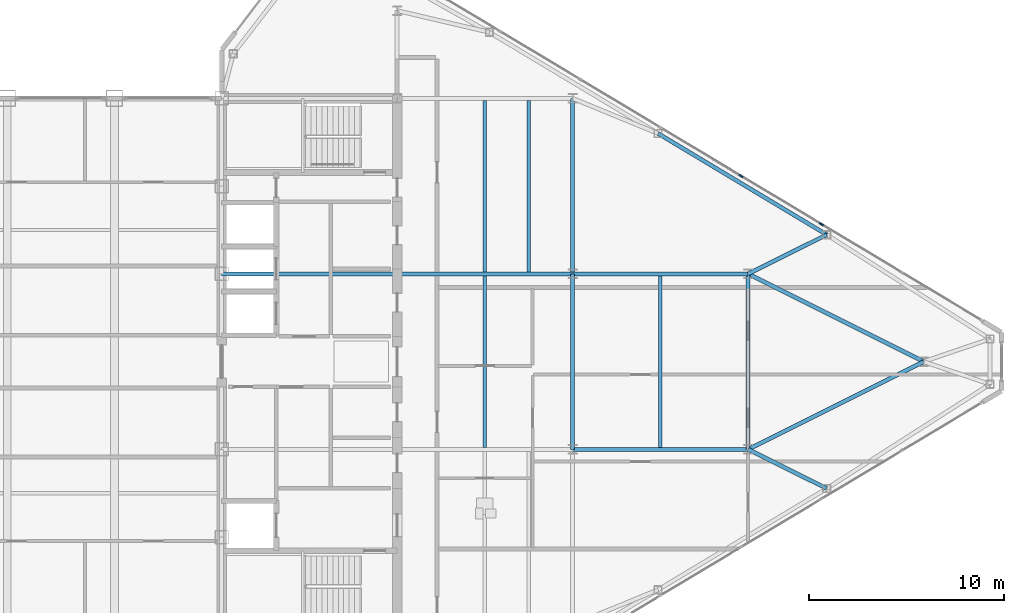
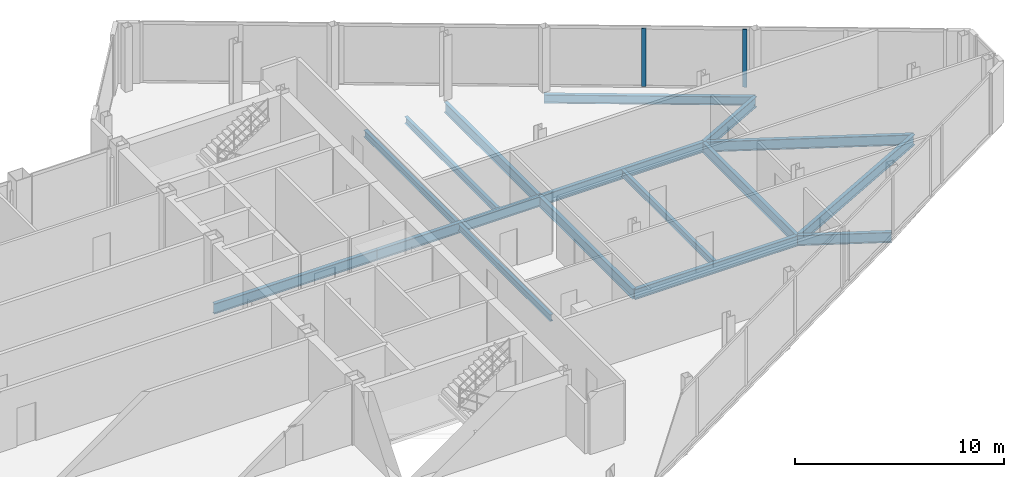
# One storey, part 15 of 29: 16 beams, 2 members, 1 element without a shape of its own.
"""IFC4 building model written with IfcOpenShell, lengths in metres."""

import ifcopenshell
import ifcopenshell.guid

model = None  # the IFC model being written
_history = None  # IfcOwnerHistory: only IFC2X3 demands one
_inside = {}  # id of a spatial element -> (the spatial element, [elements in it])
_under = {}  # id of a project, library or spatial element -> (it, [spatial elements below it])
_declared = {}  # id of a project -> (the project, [libraries it declares])
_typed = {}  # id of a type object -> (the type object, [elements of that type])
_made_of = {}  # id of a material, layer set ... -> (it, [elements and type objects made of it])


def new_model(schema):
    """Start an empty IFC model of exactly this schema.

    Asked for "IFC4X3", IfcOpenShell would pick the latest addendum, in which some entities
    have other attributes; the version numbers below select the first issue.
    IFC2X3 requires an IfcOwnerHistory on every rooted entity: one is made here for all.
    """
    global model, _history
    if schema == "IFC4X3":
        model = ifcopenshell.file(schema_version=(4, 3, 0, 0))
    else:
        model = ifcopenshell.file(schema=schema)
    _inside.clear()
    _under.clear()
    _declared.clear()
    _typed.clear()
    _made_of.clear()
    _history = None
    if model.schema == "IFC2X3":
        org = make("IfcOrganization", Name="unknown")
        user = make(
            "IfcPersonAndOrganization",
            ThePerson=make("IfcPerson", FamilyName="unknown"),
            TheOrganization=org,
        )
        app = make(
            "IfcApplication",
            ApplicationDeveloper=org,
            Version="unknown",
            ApplicationFullName="unknown",
            ApplicationIdentifier="unknown",
        )
        _history = make(
            "IfcOwnerHistory",
            OwningUser=user,
            OwningApplication=app,
            ChangeAction="ADDED",
            CreationDate=0,
        )
    return model


def make(cls, **values):
    """One entity of the class cls with the attributes given. An attribute that is None is left unset."""
    return model.create_entity(
        cls, **{name: value for name, value in values.items() if value is not None}
    )


def rooted(cls, **values):
    """An entity with a GlobalId (a new one), such as an element, a storey or a relation."""
    return make(cls, GlobalId=ifcopenshell.guid.new(), OwnerHistory=_history, **values)


def si_unit(unit_type, name, prefix=None):
    """IfcSIUnit, for example si_unit("LENGTHUNIT", "METRE", prefix="MILLI")."""
    return make("IfcSIUnit", UnitType=unit_type, Prefix=prefix, Name=name)


def assignment(units):
    """IfcUnitAssignment: the units of a project."""
    return None if units is None else make("IfcUnitAssignment", Units=units)


def point(xyz):
    """IfcCartesianPoint."""
    return None if xyz is None else make("IfcCartesianPoint", Coordinates=xyz)


def direction(xyz):
    """IfcDirection."""
    return None if xyz is None else make("IfcDirection", DirectionRatios=xyz)


def frame(location, z_axis=None, x_axis=None):
    """IfcAxis2Placement3D, a coordinate frame: its origin and axes. An axis left out is left unset."""
    return make(
        "IfcAxis2Placement3D",
        Location=point(location),
        Axis=direction(z_axis),
        RefDirection=direction(x_axis),
    )


def frame_2d(location, x_axis=None):
    """IfcAxis2Placement2D, a coordinate frame in the plane: its origin and x axis."""
    return make(
        "IfcAxis2Placement2D", Location=point(location), RefDirection=direction(x_axis)
    )


def origin():
    """The frame at (0, 0, 0) with its axes left unset."""
    return frame((0.0, 0.0, 0.0))


def origin_2d():
    """The frame at (0, 0) in the plane with its x axis left unset."""
    return frame_2d((0.0, 0.0))


def place(relative_to, where):
    """IfcLocalPlacement: puts the frame where relative to a parent placement (None: the world)."""
    return make(
        "IfcLocalPlacement", PlacementRelTo=relative_to, RelativePlacement=where
    )


def context(
    kind, dimensions, precision=None, world=None, true_north=None, identifier=None
):
    """IfcGeometricRepresentationContext, for example the 3D "Model" context."""
    return make(
        "IfcGeometricRepresentationContext",
        ContextIdentifier=identifier,
        ContextType=kind,
        CoordinateSpaceDimension=dimensions,
        Precision=precision,
        WorldCoordinateSystem=world,
        TrueNorth=true_north,
    )


def subcontext(parent, identifier, kind, view, scale=None):
    """IfcGeometricRepresentationSubContext, for example "Body" below "Model"."""
    return make(
        "IfcGeometricRepresentationSubContext",
        ContextIdentifier=identifier,
        ContextType=kind,
        ParentContext=parent,
        TargetScale=scale,
        TargetView=view,
    )


def project(units=None, contexts=None):
    """IfcProject with its units and contexts."""
    return rooted(
        "IfcProject",
        Name="project",
        RepresentationContexts=contexts,
        UnitsInContext=assignment(units),
    )


def spatial(cls, under=None, at=None, **own):
    """A site, building, storey or space (cls), placed at a placement, below another one or the project."""
    s = rooted(cls, ObjectPlacement=at, **own)
    if under is not None:
        _under.setdefault(under.id(), (under, []))[1].append(s)
    return s


def profile(cls, at=None, kind="AREA", **sizes):
    """A parametric profile (cls). Its sizes go by their IFC names, for example OverallWidth=200.0."""
    return make(cls, ProfileType=kind, Position=at, **sizes)


def rectangle(**sizes):
    """IfcRectangleProfileDef."""
    return profile("IfcRectangleProfileDef", **sizes)


def i_section(**sizes):
    """IfcIShapeProfileDef."""
    return profile("IfcIShapeProfileDef", **sizes)


def extrude(swept, where, along, depth):
    """IfcExtrudedAreaSolid: the profile swept, set in the frame where, extruded along a direction by depth."""
    return make(
        "IfcExtrudedAreaSolid",
        SweptArea=swept,
        Position=where,
        ExtrudedDirection=direction(along),
        Depth=depth,
    )


def shape(context_of_items, identifier, shape_type, items):
    """IfcShapeRepresentation: the items that make up one representation, for example the "Body"."""
    return make(
        "IfcShapeRepresentation",
        ContextOfItems=context_of_items,
        RepresentationIdentifier=identifier,
        RepresentationType=shape_type,
        Items=items,
    )


def source(mapping_origin, context_of_items, identifier, shape_type, items):
    """IfcRepresentationMap: a shape defined once, which mapped items show again and again."""
    return make(
        "IfcRepresentationMap",
        MappingOrigin=mapping_origin,
        MappedRepresentation=shape(context_of_items, identifier, shape_type, items),
    )


def transform(
    local_origin,
    x_axis=None,
    y_axis=None,
    z_axis=None,
    scale=None,
    scale2=None,
    scale3=None,
    uniform=True,
):
    """IfcCartesianTransformationOperator3D, or its non-uniform kind. x_axis, y_axis, z_axis: its Axis1, 2, 3."""
    if uniform:
        return make(
            "IfcCartesianTransformationOperator3D",
            Axis1=direction(x_axis),
            Axis2=direction(y_axis),
            LocalOrigin=point(local_origin),
            Scale=scale,
            Axis3=direction(z_axis),
        )
    return make(
        "IfcCartesianTransformationOperator3DnonUniform",
        Axis1=direction(x_axis),
        Axis2=direction(y_axis),
        LocalOrigin=point(local_origin),
        Scale=scale,
        Axis3=direction(z_axis),
        Scale2=scale2,
        Scale3=scale3,
    )


def mapped(mapping_source, mapping_target):
    """IfcMappedItem: shows the shape of a source again, moved by a transform."""
    return make(
        "IfcMappedItem", MappingSource=mapping_source, MappingTarget=mapping_target
    )


def material(Name=None, Category=None):
    """IfcMaterial."""
    return make("IfcMaterial", Name=Name, Category=Category)


def layer(
    of_material, thickness, ventilated=None, Name=None, Category=None, Priority=None
):
    """IfcMaterialLayer: one layer of a wall or slab, of a material (None: an air gap)."""
    return make(
        "IfcMaterialLayer",
        Material=of_material,
        LayerThickness=thickness,
        IsVentilated=ventilated,
        Name=Name,
        Category=Category,
        Priority=Priority,
    )


def layer_set(layers, Name=None):
    """IfcMaterialLayerSet."""
    return make("IfcMaterialLayerSet", MaterialLayers=layers, LayerSetName=Name)


def material_profile(
    of_material, cross_section, Name=None, Category=None, Priority=None
):
    """IfcMaterialProfile: a cross section and its material."""
    return make(
        "IfcMaterialProfile",
        Name=Name,
        Material=of_material,
        Profile=cross_section,
        Priority=Priority,
        Category=Category,
    )


def profile_set(profiles, Name=None, composite=None):
    """IfcMaterialProfileSet."""
    return make(
        "IfcMaterialProfileSet",
        Name=Name,
        MaterialProfiles=profiles,
        CompositeProfile=composite,
    )


def made_of(thing, what):
    """Note that an element or type object is made of a material, layer set ...; save() writes the relation."""
    if what is not None:
        _made_of.setdefault(what.id(), (what, []))[1].append(thing)
    return thing


def type_object(cls, material=None, **own):
    """A type object (cls), such as IfcWallType, which elements share."""
    return made_of(rooted(cls, **own), material)


def type_shapes(of_type, sources):
    """Give a type object the sources (RepresentationMaps) that its elements show as mapped items."""
    of_type.RepresentationMaps = sources


def element(
    cls,
    number,
    at=None,
    inside=None,
    cuts=None,
    type_object=None,
    material=None,
    context=None,
    identifier="Body",
    shape_type=None,
    held_by="IfcProductDefinitionShape",
    body=None,
    shapes=None,
    **own,
):
    """One element of the class cls, such as IfcWall. Its Tag is "e" and its number.

    at: its placement. inside: the storey or other place that contains it. cuts: it is an
    opening in that element (IfcRelVoidsElement). A single representation is given by context,
    identifier, shape_type and body (its items); several are given by shapes. held_by: the class
    of the entity that holds the representations. save() writes the other relations.
    """
    e = rooted(cls, Tag="e%d" % number, ObjectPlacement=at, **own)
    if body is not None:
        shapes = [shape(context, identifier, shape_type, body)]
    if shapes is not None:
        e.Representation = make(held_by, Representations=shapes)
    if inside is not None:
        _inside.setdefault(inside.id(), (inside, []))[1].append(e)
    if cuts is not None:
        rooted(
            "IfcRelVoidsElement", RelatingBuildingElement=cuts, RelatedOpeningElement=e
        )
    if type_object is not None:
        _typed.setdefault(type_object.id(), (type_object, []))[1].append(e)
    return made_of(e, material)


def aggregate(whole, parts):
    """IfcRelAggregates: a whole, such as a stair, and the parts it consists of."""
    return rooted("IfcRelAggregates", RelatingObject=whole, RelatedObjects=parts)


def save(model, path):
    """Write the relations noted so far, then the file.

    IfcRelAggregates (storeys below a building ...), IfcRelContainedInSpatialStructure (elements
    in a storey), IfcRelDefinesByType, IfcRelAssociatesMaterial and IfcRelDeclares: one each for
    every whole, place, type object, material and project.
    """
    for whole, parts in _under.values():
        aggregate(whole, parts)
    for where, things in _inside.values():
        rooted(
            "IfcRelContainedInSpatialStructure",
            RelatedElements=things,
            RelatingStructure=where,
        )
    for kind, things in _typed.values():
        rooted("IfcRelDefinesByType", RelatedObjects=things, RelatingType=kind)
    for what, things in _made_of.values():
        rooted("IfcRelAssociatesMaterial", RelatedObjects=things, RelatingMaterial=what)
    for by, libraries in _declared.values():
        rooted("IfcRelDeclares", RelatingContext=by, RelatedDefinitions=libraries)
    model.write(path)


model = new_model("IFC4")

# Units and contexts
model_context = context("Model", 3, precision=1e-05, world=origin(), true_north=direction((0.0, 1.0)))
body_context = subcontext(model_context, "Body", "Model", "MODEL_VIEW")
ifc_project = project(units=[si_unit("LENGTHUNIT", "METRE"), si_unit("AREAUNIT", "SQUARE_METRE"), si_unit("VOLUMEUNIT", "CUBIC_METRE"), si_unit("PLANEANGLEUNIT", "RADIAN"), si_unit("MASSUNIT", "GRAM", prefix="KILO")], contexts=[model_context])

# Site, building, storey
site_placement = place(None, origin())
site = spatial("IfcSite", under=ifc_project, at=site_placement, CompositionType="ELEMENT")
building_placement = place(site_placement, origin())
building = spatial("IfcBuilding", under=site, at=building_placement, Name="Seokmaru Belvedere", CompositionType="ELEMENT")
storey_placement = place(building_placement, frame((0.0, 0.0, 258.14990234375)))
storey = spatial("IfcBuildingStorey", under=building, at=storey_placement, Name="L68", CompositionType="ELEMENT", Elevation=258.14990234375)

# Beams
ifc_material_1 = material(Name="Steel SM355 (355 MPa)", Category="steel")
ifc_material_profile_1 = material_profile(ifc_material_1, i_section(OverallWidth=0.199951171875, OverallDepth=0.60009765625, WebThickness=0.010986328125, FlangeThickness=0.01708984375, at=origin_2d()), Name="H-600x200x11x17")
ifc_profile_set_1 = profile_set([ifc_material_profile_1], Name="Steel SM355 (355 MPa)")
beam_type_1 = type_object("IfcBeamType", Name="Primary Floor Girder H-600", PredefinedType="BEAM", material=ifc_profile_set_1)
shared_shape_1 = source(origin(), body_context, "Body", "SweptSolid", [
    extrude(i_section(OverallWidth=0.199951171875, OverallDepth=0.60009765625, WebThickness=0.010986328125, FlangeThickness=0.01708984375, at=origin_2d()), origin(), (0.0, 0.0, 1.0), 9.0),
])
for number, where, z_axis, x_axis, name in (
    (1, (45.5, -4.5, -0.52001953125), (0.0, 1.0, 0.0), (-1.0, 0.0, 0.0), "L68 E Interior Grid Girder 2"),
    (2, (45.5, 4.5, -0.52001953125), (0.0, 1.0, 0.0), (-1.0, 0.0, 0.0), "L68 E Interior Grid Girder 3"),
    (3, (27.5, 4.5, -0.52001953125), (1.0, 0.0, 0.0), (0.0, 1.0, 0.0), "L68 E Core Tie Girder 3"),
    (4, (36.5, 4.5, -0.52001953125), (1.0, 0.0, 0.0), (0.0, 1.0, 0.0), "L68 E Wing Primary Girder 3"),
    (5, (45.5, -4.5, -0.52001953125), (1.0, 0.0, 0.0), (0.0, 1.0, 0.0), "L68 E Outer Wing Girder 1"),
    (6, (45.5, 4.5, -0.52001953125), (1.0, 0.0, 0.0), (0.0, 1.0, 0.0), "L68 E Outer Wing Girder 2"),
    (7, (54.5, -4.5, -0.52001953125), (0.0, 1.0, 0.0), (-1.0, 0.0, 0.0), "L68 E Apex Frame Girder"),
):
    element("IfcBeam", number, at=place(storey_placement, frame(where, z_axis=z_axis, x_axis=x_axis)), inside=storey, type_object=beam_type_1, Name=name, PredefinedType="BEAM", context=body_context, shape_type="MappedRepresentation", body=[
        mapped(shared_shape_1, transform((0.0, 0.0, 0.0), scale=1.0)),
    ])
shared_shape_2 = source(origin(), body_context, "Body", "SweptSolid", [
    extrude(i_section(OverallWidth=0.199951171875, OverallDepth=0.60009765625, WebThickness=0.010986328125, FlangeThickness=0.01708984375, at=origin_2d()), origin(), (0.0, 0.0, 1.0), 10.062255859375),
])
for number, where, z_axis, x_axis, name in (
    (8, (54.5, -4.5, -0.52001953125), (0.894427191, 0.4472135955, 0.0), (-0.4472135955, 0.894427191, 0.0), "L68 E Apex Converging Girder 1"),
    (9, (54.5, 4.5, -0.52001953125), (0.894427191, -0.4472135955, 0.0), (0.4472135955, 0.894427191, 0.0), "L68 E Apex Converging Girder 2"),
):
    element("IfcBeam", number, at=place(storey_placement, frame(where, z_axis=z_axis, x_axis=x_axis)), inside=storey, type_object=beam_type_1, Name=name, PredefinedType="BEAM", context=body_context, shape_type="MappedRepresentation", body=[
        mapped(shared_shape_2, transform((0.0, 0.0, 0.0), scale=1.0)),
    ])
ifc_material_profile_2 = material_profile(ifc_material_1, i_section(OverallWidth=0.18505859375, OverallDepth=0.389892578125, WebThickness=0.008056640625, FlangeThickness=0.011962890625, at=origin_2d()), Name="H-390x185x8x12")
ifc_profile_set_2 = profile_set([ifc_material_profile_2], Name="Steel SM355 (355 MPa)")
beam_type_2 = type_object("IfcBeamType", Name="Secondary Floor Joist H-350", PredefinedType="JOIST", material=ifc_profile_set_2)
shared_shape_3 = source(origin(), body_context, "Body", "SweptSolid", [
    extrude(i_section(OverallWidth=0.18505859375, OverallDepth=0.389892578125, WebThickness=0.008056640625, FlangeThickness=0.011962890625, at=origin_2d()), origin(), (0.0, 0.0, 1.0), 8.7900390625),
])
type_shapes(beam_type_2, [shared_shape_3])
for number, where, z_axis, x_axis, name in (
    (10, (43.25, 4.60498046875, -0.414794921875), (0.0, 1.0, 0.0), (-1.0, 0.0, 0.0), "L68 E Wing Inner Secondary Joist 2"),
    (11, (41.0, -4.39501953125, -0.414794921875), (0.0, 1.0, 0.0), (-1.0, 0.0, 0.0), "L68 E Secondary Floor Joist 2"),
    (12, (41.0, 4.60498046875, -0.414794921875), (0.0, 1.0, 0.0), (-1.0, 0.0, 0.0), "L68 E Secondary Floor Joist 3"),
    (13, (50.0, -4.39501953125, -0.414794921875), (0.0, 1.0, 0.0), (-1.0, 0.0, 0.0), "L68 E Outer Bay Secondary Joist"),
):
    element("IfcBeam", number, at=place(storey_placement, frame(where, z_axis=z_axis, x_axis=x_axis)), inside=storey, type_object=beam_type_2, Name=name, PredefinedType="JOIST", context=body_context, shape_type="MappedRepresentation", body=[
        mapped(shared_shape_3, transform((0.0, 0.0, 0.0), scale=1.0)),
    ])
ifc_material_profile_3 = material_profile(ifc_material_1, i_section(OverallWidth=0.199951171875, OverallDepth=0.5, WebThickness=0.010009765625, FlangeThickness=0.01611328125, at=origin_2d()), Name="H-500x200x10x16")
ifc_profile_set_3 = profile_set([ifc_material_profile_3], Name="Steel SM355 (355 MPa)")
beam_type_3 = type_object("IfcBeamType", Name="Perimeter Spandrel Beam H-500", PredefinedType="SPANDREL", material=ifc_profile_set_3)
shared_shape_4 = source(origin(), body_context, "Body", "SweptSolid", [
    extrude(i_section(OverallWidth=0.199951171875, OverallDepth=0.5, WebThickness=0.010009765625, FlangeThickness=0.01611328125, at=origin_2d()), origin(), (0.0, 0.0, 1.0), 10.087646484375),
])
type_shapes(beam_type_3, [shared_shape_4])
beam_placement = place(storey_placement, frame((49.8798828125, 11.698974609375, -0.469970703125), z_axis=(0.857488654804, -0.514502873542, 0.0), x_axis=(0.514502873542, 0.857488654804, 0.0)))
element("IfcBeam", 14, at=beam_placement, inside=storey, type_object=beam_type_3, Name="L68 E Faceted Flank Spandrel N-3", PredefinedType="SPANDREL", context=body_context, shape_type="MappedRepresentation", body=[
    mapped(shared_shape_4, transform((0.0, 0.0, 0.0), scale=1.0)),
])
shared_shape_5 = source(origin(), body_context, "Body", "SweptSolid", [
    extrude(i_section(OverallWidth=0.199951171875, OverallDepth=0.60009765625, WebThickness=0.010986328125, FlangeThickness=0.01708984375, at=origin_2d()), origin(), (0.0, 0.0, 1.0), 4.5029296875),
])
type_shapes(beam_type_1, [shared_shape_1, shared_shape_2, shared_shape_5])
for number, where, z_axis, x_axis, name in (
    (15, (58.530029296875, -6.5087890625, -0.52001953125), (-0.894979532585, 0.446107202648, 0.0), (-0.446107202648, -0.894979532585, 0.0), "L68 E Flank Radial Floor Girder S-3"),
    (16, (58.530029296875, 6.5087890625, -0.52001953125), (-0.894979532585, -0.446107202648, 0.0), (0.446107202648, -0.894979532585, 0.0), "L68 E Flank Radial Floor Girder N-3"),
):
    element("IfcBeam", number, at=place(storey_placement, frame(where, z_axis=z_axis, x_axis=x_axis)), inside=storey, type_object=beam_type_1, Name=name, PredefinedType="BEAM", context=body_context, shape_type="MappedRepresentation", body=[
        mapped(shared_shape_5, transform((0.0, 0.0, 0.0), scale=1.0)),
    ])

# Curtain wall, members
ifc_material_2 = material(Name="Bronze Triple Insulating Glass", Category="glass")
ifc_layer = layer(ifc_material_2, 0.219970703125)
ifc_layer_set = layer_set([ifc_layer], Name="Bronze Triple Insulating Glass")
curtain_wall_type = type_object("IfcCurtainWallType", Name="Sky-Gate Bridge Panorama Curtain Wall System CW-6", PredefinedType="NOTDEFINED", material=ifc_layer_set)
curtain_wall_placement = place(storey_placement, origin())
curtain_wall = element("IfcCurtainWall", 17, at=curtain_wall_placement, inside=storey, type_object=curtain_wall_type, Name="L68 Curtain Wall EF3", PredefinedType="NOTDEFINED")
ifc_material_3 = material(Name="Anodised Bronze Aluminium", Category="aluminium")
ifc_material_profile_4 = material_profile(ifc_material_3, rectangle(XDim=0.080078125, YDim=0.219970703125, at=origin_2d()), Name="CW-M-80x220")
ifc_profile_set_4 = profile_set([ifc_material_profile_4], Name="Anodised Bronze Aluminium")
member_type = type_object("IfcMemberType", Name="Bronze Unitised Mullion 80x220", PredefinedType="MULLION", material=ifc_profile_set_4)
shared_shape_6 = source(origin(), body_context, "Body", "SweptSolid", [
    extrude(rectangle(XDim=0.080078125, YDim=0.219970703125, at=origin_2d()), origin(), (0.0, 0.0, 1.0), 3.3798828125),
])
type_shapes(member_type, [shared_shape_6])
member_1_placement = place(storey_placement, frame((58.257080078125, 7.0458984375, 0.0751953125), z_axis=(0.0, 0.0, 1.0), x_axis=(-0.514494909364, -0.85749343335, 0.0)))
member_1 = element("IfcMember", 18, at=member_1_placement, type_object=member_type, Name="CW:L68:EF3 Mullion 3", PredefinedType="MULLION", context=body_context, shape_type="MappedRepresentation", body=[
    mapped(shared_shape_6, transform((0.0, 0.0, 0.0), scale=1.0)),
])
member_2_placement = place(storey_placement, frame((54.12841796875, 9.52294921875, 0.0751953125), z_axis=(0.0, 0.0, 1.0), x_axis=(-0.514494909364, -0.85749343335, 0.0)))
member_2 = element("IfcMember", 19, at=member_2_placement, type_object=member_type, Name="CW:L68:EF3 Mullion 4", PredefinedType="MULLION", context=body_context, shape_type="MappedRepresentation", body=[
    mapped(shared_shape_6, transform((0.0, 0.0, 0.0), scale=1.0)),
])
aggregate(curtain_wall, [member_1, member_2])

save(model, "model.ifc")
